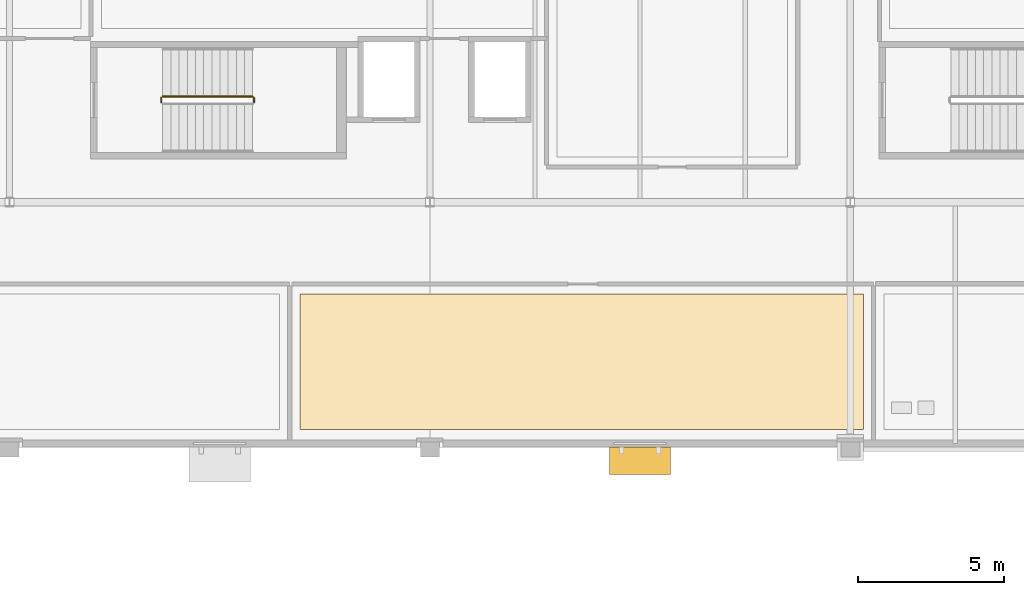
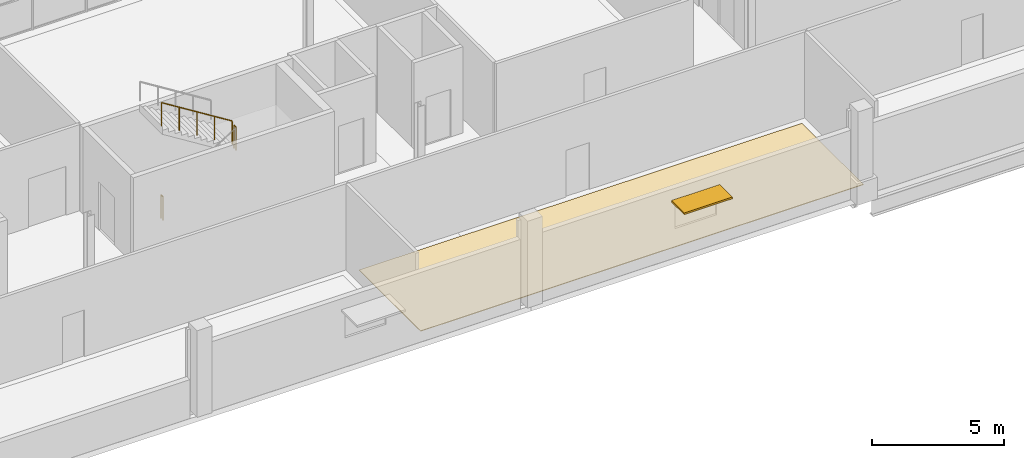
# One storey, part 64 of 68: 3 railings, 1 covering, 1 shading device.
"""IFC4 building model written with IfcOpenShell, lengths in metres."""

from ifc_helpers import new_model, si_unit, direction, frame, origin, origin_2d, place, context, subcontext, project, spatial, polyline, rectangle, circle, outline, extrude, material, layer, layer_set, type_object, element, save


model = new_model("IFC4")

# Units and contexts
model_context = context("Model", 3, precision=1e-05, world=origin(), true_north=direction((0.0, 1.0)))
body_context = subcontext(model_context, "Body", "Model", "MODEL_VIEW")
ifc_project = project(units=[si_unit("LENGTHUNIT", "METRE"), si_unit("AREAUNIT", "SQUARE_METRE"), si_unit("VOLUMEUNIT", "CUBIC_METRE"), si_unit("PLANEANGLEUNIT", "RADIAN"), si_unit("MASSUNIT", "GRAM", prefix="KILO"), si_unit("THERMODYNAMICTEMPERATUREUNIT", "KELVIN")], contexts=[model_context])

# Site, building, storey
site_placement = place(None, origin())
site = spatial("IfcSite", under=ifc_project, at=site_placement, CompositionType="ELEMENT")
building_placement = place(site_placement, origin())
building = spatial("IfcBuilding", under=site, at=building_placement, Name="Nduvali Passage Aquatics Centre", CompositionType="ELEMENT")
storey_placement = place(building_placement, frame((0.0, 0.0, 13.199951171875)))
storey = spatial("IfcBuildingStorey", under=building, at=storey_placement, Name="L03", CompositionType="ELEMENT", Elevation=13.199951171875)

# Shading device
ifc_material_1 = material(Name="Aluminium EN AW-6063 T6", Category="aluminium")
ifc_layer_1 = layer(ifc_material_1, 0.080078125, Name="Aluminium EN AW-6063 T6")
ifc_layer_set_1 = layer_set([ifc_layer_1], Name="Aluminium EN AW-6063 T6")
shading_device_type = type_object("IfcShadingDeviceType", Name="ENV-SHD-SUN2", PredefinedType="AWNING", material=ifc_layer_set_1)
shading_device_placement = place(storey_placement, frame((90.0, 91.945068359375, 2.610107421875), z_axis=(0.0, 0.0, 1.0), x_axis=(1.0, 0.0, 0.0)))
element("IfcShadingDevice", 1, at=shading_device_placement, inside=storey, type_object=shading_device_type, Name="L03 Horizontal Monsoon Sunshade 0114", PredefinedType="AWNING", context=body_context, shape_type="SweptSolid", body=[
    extrude(rectangle(XDim=2.10009765625, YDim=0.949951171875, at=origin_2d()), origin(), (0.0, 0.0, 1.0), 0.080078125),
])

# Covering
ifc_material_2 = material(Name="Polished coral-aggregate terrazzo")
ifc_layer_2 = layer(ifc_material_2, 0.030029296875, Name="Polished coral-aggregate terrazzo")
ifc_layer_set_2 = layer_set([ifc_layer_2], Name="Polished coral-aggregate terrazzo")
covering_type = type_object("IfcCoveringType", Name="INT-COV-TERRAZZO", PredefinedType="FLOORING", material=ifc_layer_set_2)
covering_placement = place(storey_placement, origin())
element("IfcCovering", 2, at=covering_placement, inside=storey, type_object=covering_type, Name="L03 Championship Organising Committee Boardroom Floor Finish", PredefinedType="FLOORING", context=body_context, shape_type="SweptSolid", body=[
    extrude(outline(polyline([(78.35009765625, 93.010009765625), (97.64990234375, 93.010009765625), (97.64990234375, 97.64990234375), (78.35009765625, 97.64990234375), (78.35009765625, 93.010009765625)])), origin(), (0.0, 0.0, 1.0), 0.030029296875),
])

# Railings
ifc_material_3 = material(Name="Stainless steel balustrade", Category="steel")
railing_type = type_object("IfcRailingType", Name="INT-RLG-GRD110", PredefinedType="GUARDRAIL", material=ifc_material_3)
railing_1_placement = place(storey_placement, frame((76.780029296875, 104.219970703125, 2.10009765625)))
element("IfcRailing", 3, at=railing_1_placement, inside=storey, type_object=railing_type, Name="L03 ST1 stair guard 2", PredefinedType="GUARDRAIL", context=body_context, shape_type="SweptSolid", body=[
    extrude(circle(Radius=0.02392578125, at=origin_2d()), frame((0.0, 0.0, 1.076171875), z_axis=(0.0, 1.0, 0.0), x_axis=(-1.0, 0.0, 0.0)), (0.0, 0.0, 1.0), 0.150146484375),
    extrude(circle(Radius=0.02099609375, at=origin_2d()), origin(), (0.0, 0.0, 1.0), 1.052001953125),
    extrude(circle(Radius=0.02099609375, at=origin_2d()), frame((0.0, 0.150146484375, 0.0)), (0.0, 0.0, 1.0), 1.052001953125),
])
railing_2_placement = place(storey_placement, frame((76.72998046875, 104.419921875, 2.275146484375)))
element("IfcRailing", 4, at=railing_2_placement, inside=storey, type_object=railing_type, Name="L03 ST1 stair guard 3", PredefinedType="GUARDRAIL", context=body_context, shape_type="SweptSolid", body=[
    extrude(circle(Radius=0.02392578125, at=origin_2d()), frame((0.0, 0.0, 1.076171875), z_axis=(-0.848028513186, 0.0, 0.529950602248), x_axis=(0.0, -1.0, 0.0)), (0.0, 0.0, 1.0), 3.632080078125),
    extrude(circle(Radius=0.02099609375, at=origin_2d()), origin(), (0.0, 0.0, 1.0), 1.052001953125),
    extrude(circle(Radius=0.02099609375, at=origin_2d()), frame((-0.77001953125, 0.0, 0.481201171875)), (0.0, 0.0, 1.0), 1.052001953125),
    extrude(circle(Radius=0.02099609375, at=origin_2d()), frame((-1.5400390625, 0.0, 0.96240234375)), (0.0, 0.0, 1.0), 1.052001953125),
    extrude(circle(Radius=0.02099609375, at=origin_2d()), frame((-2.31005859375, 0.0, 1.443603515625)), (0.0, 0.0, 1.0), 1.052001953125),
    extrude(circle(Radius=0.02099609375, at=origin_2d()), frame((-3.080078125, 0.0, 1.9248046875)), (0.0, 0.0, 1.0), 1.052001953125),
])
railing_3_placement = place(storey_placement, frame((73.60009765625, 104.219970703125, 0.0)))
element("IfcRailing", 5, at=railing_3_placement, inside=storey, type_object=railing_type, Name="L03 ST1 stair guard 4", PredefinedType="GUARDRAIL", context=body_context, shape_type="SweptSolid", body=[
    extrude(circle(Radius=0.02392578125, at=origin_2d()), frame((0.0, 0.0, 1.076171875), z_axis=(0.0, 1.0, 0.0), x_axis=(-1.0, 0.0, 0.0)), (0.0, 0.0, 1.0), 0.150146484375),
    extrude(circle(Radius=0.02099609375, at=origin_2d()), origin(), (0.0, 0.0, 1.0), 1.052001953125),
    extrude(circle(Radius=0.02099609375, at=origin_2d()), frame((0.0, 0.150146484375, 0.0)), (0.0, 0.0, 1.0), 1.052001953125),
])

save(model, "model.ifc")
